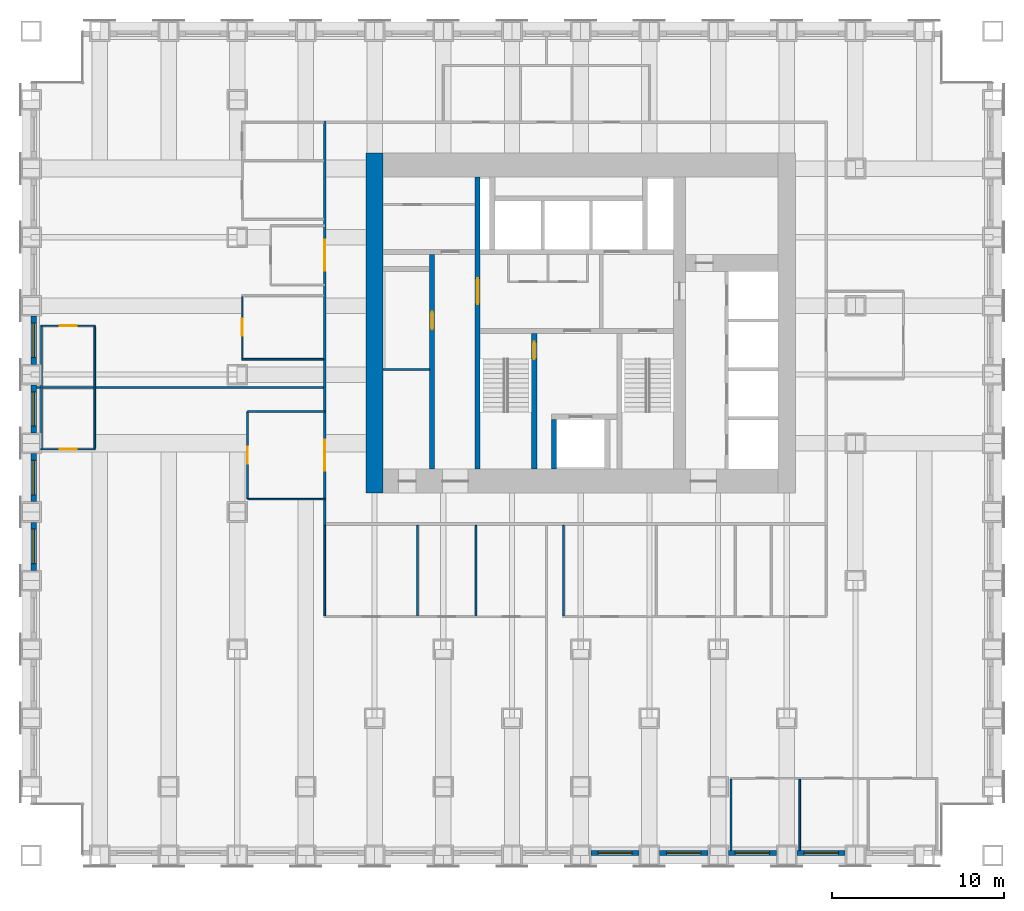
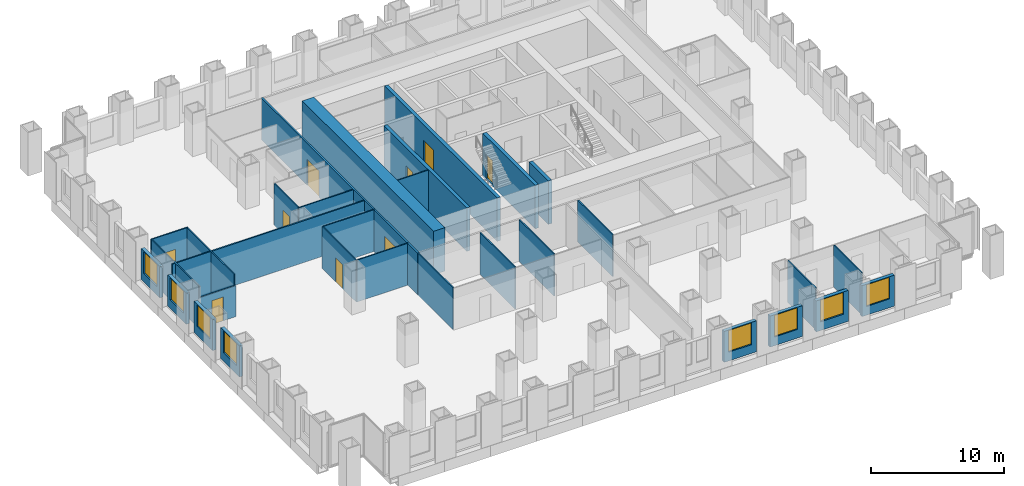
# One storey, part 9 of 15: 31 walls, 9 doors, 8 windows, 17 openings.
"""IFC4 building model written with IfcOpenShell, lengths in metres."""

from ifc_helpers import new_model, si_unit, direction, frame, frame_2d, origin, place, context, subcontext, project, spatial, rectangle, extrude, material, layer, layer_set, type_object, element, fill, save


model = new_model("IFC4")

# Units and contexts
model_context = context("Model", 3, precision=1e-05, world=origin(), true_north=direction((0.0, 1.0)))
body_context = subcontext(model_context, "Body", "Model", "MODEL_VIEW")
ifc_project = project(units=[si_unit("LENGTHUNIT", "METRE"), si_unit("AREAUNIT", "SQUARE_METRE"), si_unit("VOLUMEUNIT", "CUBIC_METRE"), si_unit("PLANEANGLEUNIT", "RADIAN"), si_unit("MASSUNIT", "GRAM", prefix="KILO")], contexts=[model_context])

# Site, building, storey
site_placement = place(None, origin())
site = spatial("IfcSite", under=ifc_project, at=site_placement, CompositionType="ELEMENT")
building_placement = place(site_placement, origin())
building = spatial("IfcBuilding", under=site, at=building_placement, Name="Rimbunsela Tower", CompositionType="ELEMENT")
storey_placement = place(building_placement, frame((0.0, 0.0, 31.0)))
storey = spatial("IfcBuildingStorey", under=building, at=storey_placement, Name="L07", CompositionType="ELEMENT", Elevation=31.0)

# Wall, opening, door
ifc_material_1 = material(Name="Concrete fc' 80 MPa", Category="concrete")
ifc_layer_1 = layer(ifc_material_1, 0.300048828125)
ifc_layer_set_1 = layer_set([ifc_layer_1], Name="Core internal wall 300")
wall_type_1 = type_object("IfcWallType", Name="Core internal wall 300", PredefinedType="SHEAR", material=ifc_layer_set_1)
wall_1_placement = place(storey_placement, frame((24.0, 18.5, -0.14990234375), z_axis=(0.0, 0.0, 1.0), x_axis=(0.0, 1.0, 0.0)))
wall_1 = element("IfcWall", 1, at=wall_1_placement, inside=storey, type_object=wall_type_1, Name="Core wall at stair A", PredefinedType="SHEAR", context=body_context, shape_type="SweptSolid", body=[
    extrude(rectangle(XDim=17.0, YDim=0.300048828125, at=frame_2d((8.5, 0.0))), origin(), (0.0, 0.0, 1.0), 4.0),
])
opening_1_placement = place(wall_1_placement, frame((9.60009765625, 0.0, 0.14990234375)))
opening_1 = element("IfcOpeningElement", 2, at=opening_1_placement, cuts=wall_1, Name="Opening D03", PredefinedType="OPENING", context=body_context, shape_type="SweptSolid", body=[
    extrude(rectangle(XDim=1.5, YDim=2.39990234375, at=frame_2d((0.75, 1.199951171875))), frame((0.0, 0.159912109375, 0.0), z_axis=(0.0, -1.0, 0.0), x_axis=(1.0, 0.0, 0.0)), (0.0, 0.0, 1.0), 0.320068359375),
])
ifc_material_2 = material(Name="Steel door, fire rated", Category="steel")
door_type_1 = type_object("IfcDoorType", Name="Core lobby door 1500", OperationType="DOUBLE_DOOR_DOUBLE_SWING", PredefinedType="DOOR", material=ifc_material_2)
door_1_placement = place(opening_1_placement, origin())
door_1 = element("IfcDoor", 3, at=door_1_placement, inside=storey, type_object=door_type_1, Name="West lobby door", OperationType="DOUBLE_DOOR_DOUBLE_SWING", OverallHeight=2.39990234375, OverallWidth=1.5, PredefinedType="DOOR", context=body_context, shape_type="SweptSolid", body=[
    extrude(rectangle(XDim=1.5, YDim=2.39990234375, at=frame_2d((0.75, 1.199951171875))), frame((0.0, 0.02490234375, 0.0), z_axis=(0.0, -1.0, 0.0), x_axis=(1.0, 0.0, 0.0)), (0.0, 0.0, 1.0), 0.050048828125),
])
fill(opening_1, door_1)

wall_2_placement = place(storey_placement, frame((27.300048828125, 18.5, -0.14990234375), z_axis=(0.0, 0.0, 1.0), x_axis=(0.0, 1.0, 0.0)))
wall_2 = element("IfcWall", 4, at=wall_2_placement, inside=storey, type_object=wall_type_1, Name="Stair A enclosure", PredefinedType="SHEAR", context=body_context, shape_type="SweptSolid", body=[
    extrude(rectangle(XDim=7.89990234375, YDim=0.300048828125, at=frame_2d((3.949951171875, 0.0))), origin(), (0.0, 0.0, 1.0), 4.0),
])
opening_2_placement = place(wall_2_placement, frame((6.39990234375, 0.0, 0.14990234375)))
opening_2 = element("IfcOpeningElement", 5, at=opening_2_placement, cuts=wall_2, Name="Opening D01", PredefinedType="OPENING", context=body_context, shape_type="SweptSolid", body=[
    extrude(rectangle(XDim=1.0, YDim=2.199951171875, at=frame_2d((0.5, 1.10009765625))), frame((0.0, 0.159912109375, 0.0), z_axis=(0.0, -1.0, 0.0), x_axis=(1.0, 0.0, 0.0)), (0.0, 0.0, 1.0), 0.320068359375),
])
ifc_material_3 = material(Name="Steel door, fire rated", Category="steel")
door_type_2 = type_object("IfcDoorType", Name="Stair door 1000", OperationType="SINGLE_SWING_RIGHT", PredefinedType="DOOR", material=ifc_material_3)
door_2_placement = place(opening_2_placement, origin())
door_2 = element("IfcDoor", 6, at=door_2_placement, inside=storey, type_object=door_type_2, Name="Stair A door", OperationType="SINGLE_SWING_RIGHT", OverallHeight=2.199951171875, OverallWidth=1.0, PredefinedType="DOOR", context=body_context, shape_type="SweptSolid", body=[
    extrude(rectangle(XDim=1.0, YDim=2.199951171875, at=frame_2d((0.5, 1.10009765625))), frame((0.0, 0.02490234375, 0.0), z_axis=(0.0, -1.0, 0.0), x_axis=(1.0, 0.0, 0.0)), (0.0, 0.0, 1.0), 0.050048828125),
])
fill(opening_2, door_2)

# Wall
wall_3_placement = place(storey_placement, frame((28.449951171875, 18.5, -0.14990234375), z_axis=(0.0, 0.0, 1.0), x_axis=(0.0, 1.0, 0.0)))
element("IfcWall", 7, at=wall_3_placement, inside=storey, type_object=wall_type_1, Name="Firefighting lift shaft west", PredefinedType="SHEAR", context=body_context, shape_type="SweptSolid", body=[
    extrude(rectangle(XDim=2.89990234375, YDim=0.300048828125, at=frame_2d((1.449951171875, 0.0))), origin(), (0.0, 0.0, 1.0), 4.0),
])

# Wall, opening, door
wall_4_placement = place(storey_placement, frame((21.35009765625, 18.5, -0.14990234375), z_axis=(0.0, 0.0, 1.0), x_axis=(0.0, 1.0, 0.0)))
wall_4 = element("IfcWall", 8, at=wall_4_placement, inside=storey, type_object=wall_type_1, Name="Lift shaft front west", PredefinedType="SHEAR", context=body_context, shape_type="SweptSolid", body=[
    extrude(rectangle(XDim=12.5, YDim=0.300048828125, at=frame_2d((6.25, 0.0))), origin(), (0.0, 0.0, 1.0), 4.0),
])
opening_3_placement = place(wall_4_placement, frame((8.14990234375, 0.0, 0.14990234375)))
opening_3 = element("IfcOpeningElement", 9, at=opening_3_placement, cuts=wall_4, Name="Opening D19", PredefinedType="OPENING", context=body_context, shape_type="SweptSolid", body=[
    extrude(rectangle(XDim=1.0, YDim=2.199951171875, at=frame_2d((0.5, 1.10009765625))), frame((0.0, 0.159912109375, 0.0), z_axis=(0.0, -1.0, 0.0), x_axis=(1.0, 0.0, 0.0)), (0.0, 0.0, 1.0), 0.320068359375),
])
ifc_material_4 = material(Name="Steel door, fire rated", Category="steel")
door_type_3 = type_object("IfcDoorType", Name="Service door 1000 fire rated", OperationType="SINGLE_SWING_LEFT", PredefinedType="DOOR", material=ifc_material_4)
door_3_placement = place(opening_3_placement, origin())
door_3 = element("IfcDoor", 10, at=door_3_placement, inside=storey, type_object=door_type_3, Name="IT room door", OperationType="SINGLE_SWING_LEFT", OverallHeight=2.199951171875, OverallWidth=1.0, PredefinedType="DOOR", context=body_context, shape_type="SweptSolid", body=[
    extrude(rectangle(XDim=1.0, YDim=2.199951171875, at=frame_2d((0.5, 1.10009765625))), frame((0.0, 0.02490234375, 0.0), z_axis=(0.0, -1.0, 0.0), x_axis=(1.0, 0.0, 0.0)), (0.0, 0.0, 1.0), 0.050048828125),
])
fill(opening_3, door_3)

# Walls
ifc_material_5 = material(Name="Concrete blockwork", Category="masonry")
ifc_layer_2 = layer(ifc_material_5, 0.10009765625)
ifc_layer_set_2 = layer_set([ifc_layer_2], Name="Core room partition 100")
wall_type_2 = type_object("IfcWallType", Name="Core room partition 100", PredefinedType="PARTITIONING", material=ifc_layer_set_2)
wall_5_placement = place(storey_placement, frame((18.5, 24.300048828125, 0.0), z_axis=(0.0, 0.0, 1.0), x_axis=(1.0, 0.0, 0.0)))
element("IfcWall", 11, at=wall_5_placement, inside=storey, type_object=wall_type_2, Name="IT room wall", PredefinedType="PARTITIONING", context=body_context, shape_type="SweptSolid", body=[
    extrude(rectangle(XDim=2.699951171875, YDim=0.10009765625, at=frame_2d((1.35009765625, 0.0))), origin(), (0.0, 0.0, 1.0), 3.85009765625),
])
ifc_material_6 = material(Name="Concrete fc' 80 MPa", Category="concrete")
ifc_layer_3 = layer(ifc_material_6, 1.0)
ifc_layer_set_3 = layer_set([ifc_layer_3], Name="Core wall 1000")
wall_type_3 = type_object("IfcWallType", Name="Core wall 1000", PredefinedType="SHEAR", material=ifc_layer_set_3)
wall_6_placement = place(storey_placement, frame((18.0, 17.10009765625, -0.14990234375), z_axis=(0.0, 0.0, 1.0), x_axis=(0.0, 1.0, 0.0)))
element("IfcWall", 12, at=wall_6_placement, inside=storey, type_object=wall_type_3, Name="Core wall west", PredefinedType="SHEAR", context=body_context, shape_type="SweptSolid", body=[
    extrude(rectangle(XDim=19.7998046875, YDim=1.0, at=frame_2d((9.89990234375, 0.0))), origin(), (0.0, 0.0, 1.0), 4.0),
])

# Wall, opening, door
ifc_material_7 = material(Name="Gypsum board on steel studs", Category="steel")
ifc_layer_4 = layer(ifc_material_7, 0.10009765625)
ifc_layer_set_4 = layer_set([ifc_layer_4], Name="Office partition 100")
wall_type_4 = type_object("IfcWallType", Name="Office partition 100", PredefinedType="PARTITIONING", material=ifc_layer_set_4)
wall_7_placement = place(storey_placement, frame((-1.449951171875, 19.64990234375, 0.0), z_axis=(0.0, 0.0, 1.0), x_axis=(1.0, 0.0, 0.0)))
wall_7 = element("IfcWall", 13, at=wall_7_placement, inside=storey, type_object=wall_type_4, Name="Office partition", PredefinedType="PARTITIONING", context=body_context, shape_type="SweptSolid", body=[
    extrude(rectangle(XDim=3.199951171875, YDim=0.10009765625, at=frame_2d((1.60009765625, 0.0))), origin(), (0.0, 0.0, 1.0), 2.85009765625),
])
opening_4_placement = place(wall_7_placement, frame((1.10009765625, 0.0, 0.0)))
opening_4 = element("IfcOpeningElement", 14, at=opening_4_placement, cuts=wall_7, Name="Opening D16", PredefinedType="OPENING", context=body_context, shape_type="SweptSolid", body=[
    extrude(rectangle(XDim=1.0, YDim=2.199951171875, at=frame_2d((0.5, 1.10009765625))), frame((0.0, 0.06005859375, 0.0), z_axis=(0.0, -1.0, 0.0), x_axis=(1.0, 0.0, 0.0)), (0.0, 0.0, 1.0), 0.1201171875),
])
ifc_material_8 = material(Name="Timber door", Category="wood")
door_type_4 = type_object("IfcDoorType", Name="Office door 1000", OperationType="SINGLE_SWING_LEFT", PredefinedType="DOOR", material=ifc_material_8)
door_4_placement = place(opening_4_placement, origin())
door_4 = element("IfcDoor", 15, at=door_4_placement, inside=storey, type_object=door_type_4, Name="Office door", OperationType="SINGLE_SWING_LEFT", OverallHeight=2.199951171875, OverallWidth=1.0, PredefinedType="DOOR", context=body_context, shape_type="SweptSolid", body=[
    extrude(rectangle(XDim=1.0, YDim=2.199951171875, at=frame_2d((0.5, 1.10009765625))), frame((0.0, 0.02490234375, 0.0), z_axis=(0.0, -1.0, 0.0), x_axis=(1.0, 0.0, 0.0)), (0.0, 0.0, 1.0), 0.050048828125),
])
fill(opening_4, door_4)

# Wall
wall_8_placement = place(storey_placement, frame((10.25, 24.89990234375, 0.0), z_axis=(0.0, 0.0, 1.0), x_axis=(1.0, 0.0, 0.0)))
element("IfcWall", 16, at=wall_8_placement, inside=storey, type_object=wall_type_4, Name="Office partition", PredefinedType="PARTITIONING", context=body_context, shape_type="SweptSolid", body=[
    extrude(rectangle(XDim=4.77490234375, YDim=0.10009765625, at=frame_2d((2.387451171875, 0.0))), origin(), (0.0, 0.0, 1.0), 3.85009765625),
])

# Wall, opening, door
wall_9_placement = place(storey_placement, frame((-1.449951171875, 26.85009765625, 0.0), z_axis=(0.0, 0.0, 1.0), x_axis=(1.0, 0.0, 0.0)))
wall_9 = element("IfcWall", 17, at=wall_9_placement, inside=storey, type_object=wall_type_4, Name="Office partition", PredefinedType="PARTITIONING", context=body_context, shape_type="SweptSolid", body=[
    extrude(rectangle(XDim=3.199951171875, YDim=0.10009765625, at=frame_2d((1.60009765625, 0.0))), origin(), (0.0, 0.0, 1.0), 3.85009765625),
])
opening_5_placement = place(wall_9_placement, frame((1.10009765625, 0.0, 0.0)))
opening_5 = element("IfcOpeningElement", 18, at=opening_5_placement, cuts=wall_9, Name="Opening D16", PredefinedType="OPENING", context=body_context, shape_type="SweptSolid", body=[
    extrude(rectangle(XDim=1.0, YDim=2.199951171875, at=frame_2d((0.5, 1.10009765625))), frame((0.0, 0.06005859375, 0.0), z_axis=(0.0, -1.0, 0.0), x_axis=(1.0, 0.0, 0.0)), (0.0, 0.0, 1.0), 0.1201171875),
])
door_5_placement = place(opening_5_placement, origin())
door_5 = element("IfcDoor", 19, at=door_5_placement, inside=storey, type_object=door_type_4, Name="Office door", OperationType="SINGLE_SWING_LEFT", OverallHeight=2.199951171875, OverallWidth=1.0, PredefinedType="DOOR", context=body_context, shape_type="SweptSolid", body=[
    extrude(rectangle(XDim=1.0, YDim=2.199951171875, at=frame_2d((0.5, 1.10009765625))), frame((0.0, 0.02490234375, 0.0), z_axis=(0.0, -1.0, 0.0), x_axis=(1.0, 0.0, 0.0)), (0.0, 0.0, 1.0), 0.050048828125),
])
fill(opening_5, door_5)

# Walls
for number, where, z_axis, x_axis, name in (
    (20, (-1.39990234375, 19.699951171875, 0.0), (0.0, 0.0, 1.0), (0.0, 1.0, 0.0), "Office partition"),
    (21, (1.699951171875, 19.699951171875, 0.0), (0.0, 0.0, 1.0), (0.0, 1.0, 0.0), "Office partition"),
):
    element("IfcWall", number, at=place(storey_placement, frame(where, z_axis=z_axis, x_axis=x_axis)), inside=storey, type_object=wall_type_4, Name=name, PredefinedType="PARTITIONING", context=body_context, shape_type="SweptSolid", body=[
        extrude(rectangle(XDim=7.10009765625, YDim=0.10009765625, at=frame_2d((3.550048828125, 0.0))), origin(), (0.0, 0.0, 1.0), 3.85009765625),
    ])

# Wall, opening, door
wall_10_placement = place(storey_placement, frame((10.300048828125, 24.949951171875, 0.0), z_axis=(0.0, 0.0, 1.0), x_axis=(0.0, 1.0, 0.0)))
wall_10 = element("IfcWall", 22, at=wall_10_placement, inside=storey, type_object=wall_type_4, Name="Office partition", PredefinedType="PARTITIONING", context=body_context, shape_type="SweptSolid", body=[
    extrude(rectangle(XDim=3.60009765625, YDim=0.10009765625, at=frame_2d((1.800048828125, 0.0))), origin(), (0.0, 0.0, 1.0), 3.85009765625),
])
opening_6_placement = place(wall_10_placement, frame((1.300048828125, 0.0, 0.0)))
opening_6 = element("IfcOpeningElement", 23, at=opening_6_placement, cuts=wall_10, Name="Opening D17", PredefinedType="OPENING", context=body_context, shape_type="SweptSolid", body=[
    extrude(rectangle(XDim=1.0, YDim=2.199951171875, at=frame_2d((0.5, 1.10009765625))), frame((0.0, 0.06005859375, 0.0), z_axis=(0.0, -1.0, 0.0), x_axis=(1.0, 0.0, 0.0)), (0.0, 0.0, 1.0), 0.1201171875),
])
ifc_material_9 = material(Name="Glazed aluminium door", Category="aluminium")
door_type_5 = type_object("IfcDoorType", Name="Meeting room door 1000 glazed", OperationType="SINGLE_SWING_RIGHT", PredefinedType="DOOR", material=ifc_material_9)
door_6_placement = place(opening_6_placement, origin())
door_6 = element("IfcDoor", 24, at=door_6_placement, inside=storey, type_object=door_type_5, Name="Meeting room door", OperationType="SINGLE_SWING_RIGHT", OverallHeight=2.199951171875, OverallWidth=1.0, PredefinedType="DOOR", context=body_context, shape_type="SweptSolid", body=[
    extrude(rectangle(XDim=1.0, YDim=2.199951171875, at=frame_2d((0.5, 1.10009765625))), frame((0.0, 0.02490234375, 0.0), z_axis=(0.0, -1.0, 0.0), x_axis=(1.0, 0.0, 0.0)), (0.0, 0.0, 1.0), 0.050048828125),
])
fill(opening_6, door_6)

# Walls
for number, where, z_axis, x_axis, name in (
    (25, (15.10009765625, 9.949951171875, 0.0), (0.0, 0.0, 1.0), (0.0, 1.0, 0.0), "Office partition"),
    (26, (20.5, 9.949951171875, 0.0), (0.0, 0.0, 1.0), (0.0, 1.0, 0.0), "Office partition"),
    (27, (23.89990234375, 9.949951171875, 0.0), (0.0, 0.0, 1.0), (0.0, 1.0, 0.0), "Office partition"),
    (28, (28.9990234375, 9.949951171875, 0.0), (0.0, 0.0, 1.0), (0.0, 1.0, 0.0), "Office partition"),
):
    element("IfcWall", number, at=place(storey_placement, frame(where, z_axis=z_axis, x_axis=x_axis)), inside=storey, type_object=wall_type_4, Name=name, PredefinedType="PARTITIONING", context=body_context, shape_type="SweptSolid", body=[
        extrude(rectangle(XDim=5.275146484375, YDim=0.10009765625, at=frame_2d((2.6376953125, 0.0))), origin(), (0.0, 0.0, 1.0), 3.85009765625),
    ])
for number, where, z_axis, x_axis, name in (
    (29, (38.75, -3.699951171875, 0.0), (0.0, 0.0, 1.0), (0.0, 1.0, 0.0), "Office partition"),
    (30, (42.75, -3.699951171875, 0.0), (0.0, 0.0, 1.0), (0.0, 1.0, 0.0), "Office partition"),
):
    element("IfcWall", number, at=place(storey_placement, frame(where, z_axis=z_axis, x_axis=x_axis)), inside=storey, type_object=wall_type_4, Name=name, PredefinedType="PARTITIONING", context=body_context, shape_type="SweptSolid", body=[
        extrude(rectangle(XDim=4.14990234375, YDim=0.10009765625, at=frame_2d((2.074951171875, 0.0))), origin(), (0.0, 0.0, 1.0), 3.85009765625),
    ])
wall_11_placement = place(storey_placement, frame((15.10009765625, 21.85009765625, 0.0), z_axis=(0.0, 0.0, 1.0), x_axis=(-1.0, 0.0, 0.0)))
element("IfcWall", 31, at=wall_11_placement, inside=storey, type_object=wall_type_4, Name="Office partition", PredefinedType="PARTITIONING", context=body_context, shape_type="SweptSolid", body=[
    extrude(rectangle(XDim=4.5, YDim=0.10009765625, at=frame_2d((2.25, 0.0))), origin(), (0.0, 0.0, 1.0), 3.85009765625),
])

# Wall, opening, door
wall_12_placement = place(storey_placement, frame((10.60009765625, 21.85009765625, 0.0), z_axis=(0.0, 0.0, 1.0), x_axis=(0.0, -1.0, 0.0)))
wall_12 = element("IfcWall", 32, at=wall_12_placement, inside=storey, type_object=wall_type_4, Name="Office partition", PredefinedType="PARTITIONING", context=body_context, shape_type="SweptSolid", body=[
    extrude(rectangle(XDim=5.10009765625, YDim=0.10009765625, at=frame_2d((2.550048828125, 0.0))), origin(), (0.0, 0.0, 1.0), 3.85009765625),
])
opening_7_placement = place(wall_12_placement, frame((2.050048828125, 0.0, 0.0)))
opening_7 = element("IfcOpeningElement", 33, at=opening_7_placement, cuts=wall_12, Name="Opening D17", PredefinedType="OPENING", context=body_context, shape_type="SweptSolid", body=[
    extrude(rectangle(XDim=1.0, YDim=2.199951171875, at=frame_2d((0.5, 1.10009765625))), frame((0.0, 0.06005859375, 0.0), z_axis=(0.0, -1.0, 0.0), x_axis=(1.0, 0.0, 0.0)), (0.0, 0.0, 1.0), 0.1201171875),
])
door_7_placement = place(opening_7_placement, origin())
door_7 = element("IfcDoor", 34, at=door_7_placement, inside=storey, type_object=door_type_5, Name="Reception door", OperationType="SINGLE_SWING_RIGHT", OverallHeight=2.199951171875, OverallWidth=1.0, PredefinedType="DOOR", context=body_context, shape_type="SweptSolid", body=[
    extrude(rectangle(XDim=1.0, YDim=2.199951171875, at=frame_2d((0.5, 1.10009765625))), frame((0.0, 0.02490234375, 0.0), z_axis=(0.0, -1.0, 0.0), x_axis=(1.0, 0.0, 0.0)), (0.0, 0.0, 1.0), 0.050048828125),
])
fill(opening_7, door_7)

# Wall
wall_13_placement = place(storey_placement, frame((10.60009765625, 16.75, 0.0), z_axis=(0.0, 0.0, 1.0), x_axis=(1.0, 0.0, 0.0)))
element("IfcWall", 35, at=wall_13_placement, inside=storey, type_object=wall_type_4, Name="Office partition", PredefinedType="PARTITIONING", context=body_context, shape_type="SweptSolid", body=[
    extrude(rectangle(XDim=4.5, YDim=0.10009765625, at=frame_2d((2.25, 0.0))), origin(), (0.0, 0.0, 1.0), 3.85009765625),
])

# Wall, opening, window
ifc_material_10 = material(Name="Precast concrete fc' 35 MPa", Category="concrete")
ifc_layer_5 = layer(ifc_material_10, 0.300048828125)
ifc_layer_set_5 = layer_set([ifc_layer_5], Name="Precast concrete fc' 35 MPa")
wall_type_5 = type_object("IfcWallType", Name="Precast facade panel 300", PredefinedType="ELEMENTEDWALL", material=ifc_layer_set_5)
wall_14_placement = place(storey_placement, frame((30.60009765625, -3.85009765625, 0.0), z_axis=(0.0, 0.0, 1.0), x_axis=(1.0, 0.0, 0.0)))
wall_14 = element("IfcWall", 36, at=wall_14_placement, inside=storey, type_object=wall_type_5, Name="Facade panel S L07", PredefinedType="ELEMENTEDWALL", context=body_context, shape_type="SweptSolid", body=[
    extrude(rectangle(XDim=2.7998046875, YDim=0.300048828125, at=frame_2d((1.39990234375, 0.0))), origin(), (0.0, 0.0, 1.0), 2.85009765625),
])
opening_8_placement = place(wall_14_placement, frame((0.39990234375, 0.0, 0.800048828125)))
opening_8 = element("IfcOpeningElement", 37, at=opening_8_placement, cuts=wall_14, Name="Opening W1", PredefinedType="OPENING", context=body_context, shape_type="SweptSolid", body=[
    extrude(rectangle(XDim=2.0, YDim=2.0, at=frame_2d((1.0, 1.0))), frame((0.0, 0.159912109375, 0.0), z_axis=(0.0, -1.0, 0.0), x_axis=(1.0, 0.0, 0.0)), (0.0, 0.0, 1.0), 0.320068359375),
])
ifc_material_11 = material(Name="Clear glass in aluminium frame", Category="aluminium")
window_type = type_object("IfcWindowType", Name="Window W1 2000x2000", PartitioningType="DOUBLE_PANEL_VERTICAL", PredefinedType="WINDOW", material=ifc_material_11)
window_1_placement = place(opening_8_placement, origin())
window_1 = element("IfcWindow", 38, at=window_1_placement, inside=storey, type_object=window_type, Name="Window L07", OverallHeight=2.0, OverallWidth=2.0, PartitioningType="SINGLE_PANEL", PredefinedType="WINDOW", context=body_context, shape_type="SweptSolid", body=[
    extrude(rectangle(XDim=2.0, YDim=2.0, at=frame_2d((1.0, 1.0))), frame((0.0, 0.030029296875, 0.0), z_axis=(0.0, -1.0, 0.0), x_axis=(1.0, 0.0, 0.0)), (0.0, 0.0, 1.0), 0.06005859375),
])
fill(opening_8, window_1)

wall_15_placement = place(storey_placement, frame((34.60009765625, -3.85009765625, 0.0), z_axis=(0.0, 0.0, 1.0), x_axis=(1.0, 0.0, 0.0)))
wall_15 = element("IfcWall", 39, at=wall_15_placement, inside=storey, type_object=wall_type_5, Name="Facade panel S L07", PredefinedType="ELEMENTEDWALL", context=body_context, shape_type="SweptSolid", body=[
    extrude(rectangle(XDim=2.7998046875, YDim=0.300048828125, at=frame_2d((1.39990234375, 0.0))), origin(), (0.0, 0.0, 1.0), 2.85009765625),
])
opening_9_placement = place(wall_15_placement, frame((0.39990234375, 0.0, 0.800048828125)))
opening_9 = element("IfcOpeningElement", 40, at=opening_9_placement, cuts=wall_15, Name="Opening W1", PredefinedType="OPENING", context=body_context, shape_type="SweptSolid", body=[
    extrude(rectangle(XDim=2.0, YDim=2.0, at=frame_2d((1.0, 1.0))), frame((0.0, 0.159912109375, 0.0), z_axis=(0.0, -1.0, 0.0), x_axis=(1.0, 0.0, 0.0)), (0.0, 0.0, 1.0), 0.320068359375),
])
window_2_placement = place(opening_9_placement, origin())
window_2 = element("IfcWindow", 41, at=window_2_placement, inside=storey, type_object=window_type, Name="Window L07", OverallHeight=2.0, OverallWidth=2.0, PartitioningType="SINGLE_PANEL", PredefinedType="WINDOW", context=body_context, shape_type="SweptSolid", body=[
    extrude(rectangle(XDim=2.0, YDim=2.0, at=frame_2d((1.0, 1.0))), frame((0.0, 0.030029296875, 0.0), z_axis=(0.0, -1.0, 0.0), x_axis=(1.0, 0.0, 0.0)), (0.0, 0.0, 1.0), 0.06005859375),
])
fill(opening_9, window_2)

wall_16_placement = place(storey_placement, frame((38.60009765625, -3.85009765625, 0.0), z_axis=(0.0, 0.0, 1.0), x_axis=(1.0, 0.0, 0.0)))
wall_16 = element("IfcWall", 42, at=wall_16_placement, inside=storey, type_object=wall_type_5, Name="Facade panel S L07", PredefinedType="ELEMENTEDWALL", context=body_context, shape_type="SweptSolid", body=[
    extrude(rectangle(XDim=2.7998046875, YDim=0.300048828125, at=frame_2d((1.39990234375, 0.0))), origin(), (0.0, 0.0, 1.0), 2.85009765625),
])
opening_10_placement = place(wall_16_placement, frame((0.39990234375, 0.0, 0.800048828125)))
opening_10 = element("IfcOpeningElement", 43, at=opening_10_placement, cuts=wall_16, Name="Opening W1", PredefinedType="OPENING", context=body_context, shape_type="SweptSolid", body=[
    extrude(rectangle(XDim=2.0, YDim=2.0, at=frame_2d((1.0, 1.0))), frame((0.0, 0.159912109375, 0.0), z_axis=(0.0, -1.0, 0.0), x_axis=(1.0, 0.0, 0.0)), (0.0, 0.0, 1.0), 0.320068359375),
])
window_3_placement = place(opening_10_placement, origin())
window_3 = element("IfcWindow", 44, at=window_3_placement, inside=storey, type_object=window_type, Name="Window L07", OverallHeight=2.0, OverallWidth=2.0, PartitioningType="SINGLE_PANEL", PredefinedType="WINDOW", context=body_context, shape_type="SweptSolid", body=[
    extrude(rectangle(XDim=2.0, YDim=2.0, at=frame_2d((1.0, 1.0))), frame((0.0, 0.030029296875, 0.0), z_axis=(0.0, -1.0, 0.0), x_axis=(1.0, 0.0, 0.0)), (0.0, 0.0, 1.0), 0.06005859375),
])
fill(opening_10, window_3)

wall_17_placement = place(storey_placement, frame((42.60009765625, -3.85009765625, 0.0), z_axis=(0.0, 0.0, 1.0), x_axis=(1.0, 0.0, 0.0)))
wall_17 = element("IfcWall", 45, at=wall_17_placement, inside=storey, type_object=wall_type_5, Name="Facade panel S L07", PredefinedType="ELEMENTEDWALL", context=body_context, shape_type="SweptSolid", body=[
    extrude(rectangle(XDim=2.7998046875, YDim=0.300048828125, at=frame_2d((1.39990234375, 0.0))), origin(), (0.0, 0.0, 1.0), 2.85009765625),
])
opening_11_placement = place(wall_17_placement, frame((0.39990234375, 0.0, 0.800048828125)))
opening_11 = element("IfcOpeningElement", 46, at=opening_11_placement, cuts=wall_17, Name="Opening W1", PredefinedType="OPENING", context=body_context, shape_type="SweptSolid", body=[
    extrude(rectangle(XDim=2.0, YDim=2.0, at=frame_2d((1.0, 1.0))), frame((0.0, 0.159912109375, 0.0), z_axis=(0.0, -1.0, 0.0), x_axis=(1.0, 0.0, 0.0)), (0.0, 0.0, 1.0), 0.320068359375),
])
window_4_placement = place(opening_11_placement, origin())
window_4 = element("IfcWindow", 47, at=window_4_placement, inside=storey, type_object=window_type, Name="Window L07", OverallHeight=2.0, OverallWidth=2.0, PartitioningType="SINGLE_PANEL", PredefinedType="WINDOW", context=body_context, shape_type="SweptSolid", body=[
    extrude(rectangle(XDim=2.0, YDim=2.0, at=frame_2d((1.0, 1.0))), frame((0.0, 0.030029296875, 0.0), z_axis=(0.0, -1.0, 0.0), x_axis=(1.0, 0.0, 0.0)), (0.0, 0.0, 1.0), 0.06005859375),
])
fill(opening_11, window_4)

wall_18_placement = place(storey_placement, frame((-1.85009765625, 15.39990234375, 0.0), z_axis=(0.0, 0.0, 1.0), x_axis=(0.0, -1.0, 0.0)))
wall_18 = element("IfcWall", 48, at=wall_18_placement, inside=storey, type_object=wall_type_5, Name="Facade panel W L07", PredefinedType="ELEMENTEDWALL", context=body_context, shape_type="SweptSolid", body=[
    extrude(rectangle(XDim=2.7998046875, YDim=0.300048828125, at=frame_2d((1.39990234375, 0.0))), origin(), (0.0, 0.0, 1.0), 2.85009765625),
])
opening_12_placement = place(wall_18_placement, frame((0.39990234375, 0.0, 0.800048828125)))
opening_12 = element("IfcOpeningElement", 49, at=opening_12_placement, cuts=wall_18, Name="Opening W1", PredefinedType="OPENING", context=body_context, shape_type="SweptSolid", body=[
    extrude(rectangle(XDim=2.0, YDim=2.0, at=frame_2d((1.0, 1.0))), frame((0.0, 0.159912109375, 0.0), z_axis=(0.0, -1.0, 0.0), x_axis=(1.0, 0.0, 0.0)), (0.0, 0.0, 1.0), 0.320068359375),
])
window_5_placement = place(opening_12_placement, origin())
window_5 = element("IfcWindow", 50, at=window_5_placement, inside=storey, type_object=window_type, Name="Window L07", OverallHeight=2.0, OverallWidth=2.0, PartitioningType="SINGLE_PANEL", PredefinedType="WINDOW", context=body_context, shape_type="SweptSolid", body=[
    extrude(rectangle(XDim=2.0, YDim=2.0, at=frame_2d((1.0, 1.0))), frame((0.0, 0.030029296875, 0.0), z_axis=(0.0, -1.0, 0.0), x_axis=(1.0, 0.0, 0.0)), (0.0, 0.0, 1.0), 0.06005859375),
])
fill(opening_12, window_5)

wall_19_placement = place(storey_placement, frame((-1.85009765625, 19.39990234375, 0.0), z_axis=(0.0, 0.0, 1.0), x_axis=(0.0, -1.0, 0.0)))
wall_19 = element("IfcWall", 51, at=wall_19_placement, inside=storey, type_object=wall_type_5, Name="Facade panel W L07", PredefinedType="ELEMENTEDWALL", context=body_context, shape_type="SweptSolid", body=[
    extrude(rectangle(XDim=2.7998046875, YDim=0.300048828125, at=frame_2d((1.39990234375, 0.0))), origin(), (0.0, 0.0, 1.0), 2.85009765625),
])
opening_13_placement = place(wall_19_placement, frame((0.39990234375, 0.0, 0.800048828125)))
opening_13 = element("IfcOpeningElement", 52, at=opening_13_placement, cuts=wall_19, Name="Opening W1", PredefinedType="OPENING", context=body_context, shape_type="SweptSolid", body=[
    extrude(rectangle(XDim=2.0, YDim=2.0, at=frame_2d((1.0, 1.0))), frame((0.0, 0.159912109375, 0.0), z_axis=(0.0, -1.0, 0.0), x_axis=(1.0, 0.0, 0.0)), (0.0, 0.0, 1.0), 0.320068359375),
])
window_6_placement = place(opening_13_placement, origin())
window_6 = element("IfcWindow", 53, at=window_6_placement, inside=storey, type_object=window_type, Name="Window L07", OverallHeight=2.0, OverallWidth=2.0, PartitioningType="SINGLE_PANEL", PredefinedType="WINDOW", context=body_context, shape_type="SweptSolid", body=[
    extrude(rectangle(XDim=2.0, YDim=2.0, at=frame_2d((1.0, 1.0))), frame((0.0, 0.030029296875, 0.0), z_axis=(0.0, -1.0, 0.0), x_axis=(1.0, 0.0, 0.0)), (0.0, 0.0, 1.0), 0.06005859375),
])
fill(opening_13, window_6)

wall_20_placement = place(storey_placement, frame((-1.85009765625, 23.39990234375, 0.0), z_axis=(0.0, 0.0, 1.0), x_axis=(0.0, -1.0, 0.0)))
wall_20 = element("IfcWall", 54, at=wall_20_placement, inside=storey, type_object=wall_type_5, Name="Facade panel W L07", PredefinedType="ELEMENTEDWALL", context=body_context, shape_type="SweptSolid", body=[
    extrude(rectangle(XDim=2.7998046875, YDim=0.300048828125, at=frame_2d((1.39990234375, 0.0))), origin(), (0.0, 0.0, 1.0), 2.85009765625),
])
opening_14_placement = place(wall_20_placement, frame((0.39990234375, 0.0, 0.800048828125)))
opening_14 = element("IfcOpeningElement", 55, at=opening_14_placement, cuts=wall_20, Name="Opening W1", PredefinedType="OPENING", context=body_context, shape_type="SweptSolid", body=[
    extrude(rectangle(XDim=2.0, YDim=2.0, at=frame_2d((1.0, 1.0))), frame((0.0, 0.159912109375, 0.0), z_axis=(0.0, -1.0, 0.0), x_axis=(1.0, 0.0, 0.0)), (0.0, 0.0, 1.0), 0.320068359375),
])
window_7_placement = place(opening_14_placement, origin())
window_7 = element("IfcWindow", 56, at=window_7_placement, inside=storey, type_object=window_type, Name="Window L07", OverallHeight=2.0, OverallWidth=2.0, PartitioningType="SINGLE_PANEL", PredefinedType="WINDOW", context=body_context, shape_type="SweptSolid", body=[
    extrude(rectangle(XDim=2.0, YDim=2.0, at=frame_2d((1.0, 1.0))), frame((0.0, 0.030029296875, 0.0), z_axis=(0.0, -1.0, 0.0), x_axis=(1.0, 0.0, 0.0)), (0.0, 0.0, 1.0), 0.06005859375),
])
fill(opening_14, window_7)

wall_21_placement = place(storey_placement, frame((-1.85009765625, 27.39990234375, 0.0), z_axis=(0.0, 0.0, 1.0), x_axis=(0.0, -1.0, 0.0)))
wall_21 = element("IfcWall", 57, at=wall_21_placement, inside=storey, type_object=wall_type_5, Name="Facade panel W L07", PredefinedType="ELEMENTEDWALL", context=body_context, shape_type="SweptSolid", body=[
    extrude(rectangle(XDim=2.7998046875, YDim=0.300048828125, at=frame_2d((1.39990234375, 0.0))), origin(), (0.0, 0.0, 1.0), 2.85009765625),
])
opening_15_placement = place(wall_21_placement, frame((0.39990234375, 0.0, 0.800048828125)))
opening_15 = element("IfcOpeningElement", 58, at=opening_15_placement, cuts=wall_21, Name="Opening W1", PredefinedType="OPENING", context=body_context, shape_type="SweptSolid", body=[
    extrude(rectangle(XDim=2.0, YDim=2.0, at=frame_2d((1.0, 1.0))), frame((0.0, 0.159912109375, 0.0), z_axis=(0.0, -1.0, 0.0), x_axis=(1.0, 0.0, 0.0)), (0.0, 0.0, 1.0), 0.320068359375),
])
window_8_placement = place(opening_15_placement, origin())
window_8 = element("IfcWindow", 59, at=window_8_placement, inside=storey, type_object=window_type, Name="Window L07", OverallHeight=2.0, OverallWidth=2.0, PartitioningType="SINGLE_PANEL", PredefinedType="WINDOW", context=body_context, shape_type="SweptSolid", body=[
    extrude(rectangle(XDim=2.0, YDim=2.0, at=frame_2d((1.0, 1.0))), frame((0.0, 0.030029296875, 0.0), z_axis=(0.0, -1.0, 0.0), x_axis=(1.0, 0.0, 0.0)), (0.0, 0.0, 1.0), 0.06005859375),
])
fill(opening_15, window_8)

# Wall, openings, doors
ifc_material_12 = material(Name="Fire-rated gypsum board on steel studs, EI 60", Category="steel")
ifc_layer_6 = layer(ifc_material_12, 0.14990234375)
ifc_layer_set_6 = layer_set([ifc_layer_6], Name="Rated corridor wall 150")
wall_type_6 = type_object("IfcWallType", Name="Rated corridor wall 150", PredefinedType="PARTITIONING", material=ifc_layer_set_6)
wall_22_placement = place(storey_placement, frame((15.10009765625, 15.22509765625, 0.0), z_axis=(0.0, 0.0, 1.0), x_axis=(0.0, 1.0, 0.0)))
wall_22 = element("IfcWall", 60, at=wall_22_placement, inside=storey, type_object=wall_type_6, Name="Corridor wall west", PredefinedType="PARTITIONING", context=body_context, shape_type="SweptSolid", body=[
    extrude(rectangle(XDim=23.5498046875, YDim=0.14990234375, at=frame_2d((11.77490234375, 0.0))), origin(), (0.0, 0.0, 1.0), 3.85009765625),
])
opening_16_placement = place(wall_22_placement, frame((3.175048828125, 0.0, 0.0)))
opening_16 = element("IfcOpeningElement", 61, at=opening_16_placement, cuts=wall_22, Name="Opening D09", PredefinedType="OPENING", context=body_context, shape_type="SweptSolid", body=[
    extrude(rectangle(XDim=1.800048828125, YDim=2.39990234375, at=frame_2d((0.89990234375, 1.199951171875))), frame((0.0, 0.0849609375, 0.0), z_axis=(0.0, -1.0, 0.0), x_axis=(1.0, 0.0, 0.0)), (0.0, 0.0, 1.0), 0.169921875),
])
opening_17_placement = place(wall_22_placement, frame((14.824951171875, 0.0, 0.0)))
opening_17 = element("IfcOpeningElement", 62, at=opening_17_placement, cuts=wall_22, Name="Opening D09", PredefinedType="OPENING", context=body_context, shape_type="SweptSolid", body=[
    extrude(rectangle(XDim=1.800048828125, YDim=2.39990234375, at=frame_2d((0.89990234375, 1.199951171875))), frame((0.0, 0.0849609375, 0.0), z_axis=(0.0, -1.0, 0.0), x_axis=(1.0, 0.0, 0.0)), (0.0, 0.0, 1.0), 0.169921875),
])
ifc_material_13 = material(Name="Glazed aluminium door, fire rated", Category="aluminium")
door_type_6 = type_object("IfcDoorType", Name="Tenancy door 1800 glazed", OperationType="DOUBLE_DOOR_DOUBLE_SWING", PredefinedType="DOOR", material=ifc_material_13)
door_8_placement = place(opening_16_placement, origin())
door_8 = element("IfcDoor", 63, at=door_8_placement, inside=storey, type_object=door_type_6, Name="Tenancy door", OperationType="DOUBLE_DOOR_DOUBLE_SWING", OverallHeight=2.39990234375, OverallWidth=1.800048828125, PredefinedType="DOOR", context=body_context, shape_type="SweptSolid", body=[
    extrude(rectangle(XDim=1.800048828125, YDim=2.39990234375, at=frame_2d((0.89990234375, 1.199951171875))), frame((0.0, 0.02490234375, 0.0), z_axis=(0.0, -1.0, 0.0), x_axis=(1.0, 0.0, 0.0)), (0.0, 0.0, 1.0), 0.050048828125),
])
fill(opening_16, door_8)
door_9_placement = place(opening_17_placement, origin())
door_9 = element("IfcDoor", 64, at=door_9_placement, inside=storey, type_object=door_type_6, Name="Tenancy door", OperationType="DOUBLE_DOOR_DOUBLE_SWING", OverallHeight=2.39990234375, OverallWidth=1.800048828125, PredefinedType="DOOR", context=body_context, shape_type="SweptSolid", body=[
    extrude(rectangle(XDim=1.800048828125, YDim=2.39990234375, at=frame_2d((0.89990234375, 1.199951171875))), frame((0.0, 0.02490234375, 0.0), z_axis=(0.0, -1.0, 0.0), x_axis=(1.0, 0.0, 0.0)), (0.0, 0.0, 1.0), 0.050048828125),
])
fill(opening_17, door_9)

# Wall
ifc_material_14 = material(Name="Gypsum board on steel studs", Category="steel")
ifc_layer_7 = layer(ifc_material_14, 0.1201171875)
ifc_layer_set_7 = layer_set([ifc_layer_7], Name="Tenancy partition 120")
wall_type_7 = type_object("IfcWallType", Name="Tenancy partition 120", PredefinedType="PARTITIONING", material=ifc_layer_set_7)
wall_23_placement = place(storey_placement, frame((-1.699951171875, 23.25, 0.0), z_axis=(0.0, 0.0, 1.0), x_axis=(1.0, 0.0, 0.0)))
element("IfcWall", 65, at=wall_23_placement, inside=storey, type_object=wall_type_7, Name="Tenancy partition", PredefinedType="PARTITIONING", context=body_context, shape_type="SweptSolid", body=[
    extrude(rectangle(XDim=16.724853515625, YDim=0.1201171875, at=frame_2d((8.3623046875, 0.0))), origin(), (0.0, 0.0, 1.0), 3.85009765625),
])

save(model, "model.ifc")
